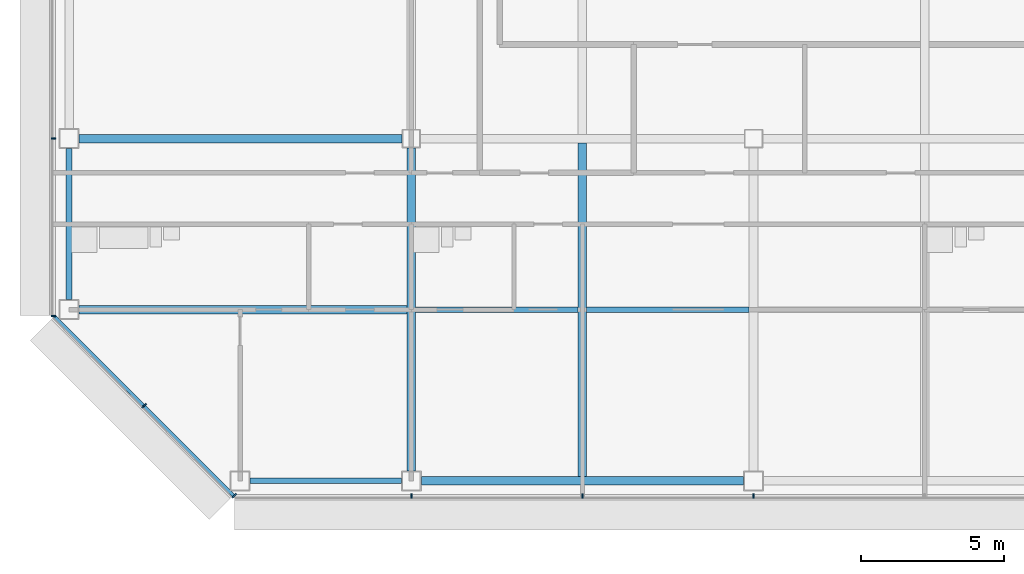
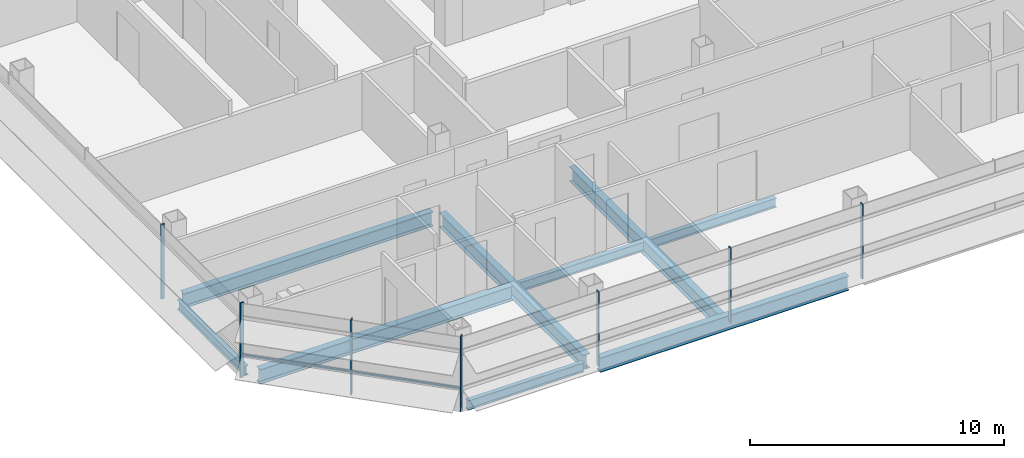
# One storey, part 2 of 27: 9 beams, 8 members, 3 elements without a shape of their own.
"""IFC4 building model written with IfcOpenShell, lengths in metres."""

from ifc_helpers import new_model, si_unit, direction, frame, origin, origin_2d, place, context, subcontext, project, spatial, rectangle, i_section, extrude, material, material_profile, profile_set, type_object, element, aggregate, save


model = new_model("IFC4")

# Units and contexts
model_context = context("Model", 3, precision=1e-05, world=origin(), true_north=direction((0.0, 1.0)))
body_context = subcontext(model_context, "Body", "Model", "MODEL_VIEW")
ifc_project = project(units=[si_unit("LENGTHUNIT", "METRE"), si_unit("AREAUNIT", "SQUARE_METRE"), si_unit("VOLUMEUNIT", "CUBIC_METRE"), si_unit("PLANEANGLEUNIT", "RADIAN"), si_unit("MASSUNIT", "GRAM", prefix="KILO")], contexts=[model_context])

# Site, building, storey
site_placement = place(None, origin())
site = spatial("IfcSite", under=ifc_project, at=site_placement, CompositionType="ELEMENT")
building_placement = place(site_placement, origin())
building = spatial("IfcBuilding", under=site, at=building_placement, Name="Sorahane Residences", CompositionType="ELEMENT")
storey_placement = place(building_placement, frame((0.0, 0.0, 195.60009765625)))
storey = spatial("IfcBuildingStorey", under=building, at=storey_placement, Name="L45", CompositionType="ELEMENT", Elevation=195.60009765625)

# Curtain wall, members
ifc_material_1 = material(Name="Dark low-e glass and black anodised aluminium", Category="aluminium")
curtain_wall_type_1 = type_object("IfcCurtainWallType", Name="Curtain wall CW-1 Typical unitised wall", PredefinedType="NOTDEFINED", material=ifc_material_1)
curtain_wall_1_placement = place(storey_placement, origin())
curtain_wall_1 = element("IfcCurtainWall", 1, at=curtain_wall_1_placement, inside=storey, type_object=curtain_wall_type_1, Name="CW-1 curtain wall L45 S1", PredefinedType="NOTDEFINED")
ifc_material_2 = material(Name="Black anodised aluminium", Category="aluminium")
ifc_material_profile_1 = material_profile(ifc_material_2, rectangle(XDim=0.159912109375, YDim=0.050048828125, at=origin_2d()), Name="Curtain wall mullion CW-1 black anodised aluminium 50x160")
ifc_profile_set_1 = profile_set([ifc_material_profile_1], Name="Black anodised aluminium")
member_type_1 = type_object("IfcMemberType", Name="Curtain wall mullion CW-1 black anodised aluminium 50x160", PredefinedType="MULLION", material=ifc_profile_set_1)
member_1_placement = place(storey_placement, frame((0.0, -0.5400390625, -0.18017578125), z_axis=(0.0, 0.0, 1.0), x_axis=(0.0, -1.0, 0.0)))
member_1 = element("IfcMember", 2, at=member_1_placement, type_object=member_type_1, Name="CW-1 mullion L45 S1.2", PredefinedType="MULLION", context=body_context, shape_type="SweptSolid", body=[
    extrude(rectangle(XDim=0.159912109375, YDim=0.050048828125, at=origin_2d()), origin(), (0.0, 0.0, 1.0), 3.60009765625),
])
member_2_placement = place(storey_placement, frame((6.0, -0.5400390625, -0.18017578125), z_axis=(0.0, 0.0, 1.0), x_axis=(0.0, -1.0, 0.0)))
member_2 = element("IfcMember", 3, at=member_2_placement, type_object=member_type_1, Name="CW-1 mullion L45 S1.3", PredefinedType="MULLION", context=body_context, shape_type="SweptSolid", body=[
    extrude(rectangle(XDim=0.159912109375, YDim=0.050048828125, at=origin_2d()), origin(), (0.0, 0.0, 1.0), 3.60009765625),
])
member_3_placement = place(storey_placement, frame((12.0, -0.5400390625, -0.18017578125), z_axis=(0.0, 0.0, 1.0), x_axis=(0.0, -1.0, 0.0)))
member_3 = element("IfcMember", 4, at=member_3_placement, type_object=member_type_1, Name="CW-1 mullion L45 S1.4", PredefinedType="MULLION", context=body_context, shape_type="SweptSolid", body=[
    extrude(rectangle(XDim=0.159912109375, YDim=0.050048828125, at=origin_2d()), origin(), (0.0, 0.0, 1.0), 3.60009765625),
])
aggregate(curtain_wall_1, [member_1, member_2, member_3])

curtain_wall_2_placement = place(storey_placement, origin())
curtain_wall_2 = element("IfcCurtainWall", 5, at=curtain_wall_2_placement, inside=storey, type_object=curtain_wall_type_1, Name="CW-1 curtain wall L45 W1", PredefinedType="NOTDEFINED")
member_4_placement = place(storey_placement, frame((-12.5400390625, 12.0, -0.18017578125), z_axis=(0.0, 0.0, 1.0), x_axis=(-1.0, 0.0, 0.0)))
member_4 = element("IfcMember", 6, at=member_4_placement, type_object=member_type_1, Name="CW-1 mullion L45 W1.6", PredefinedType="MULLION", context=body_context, shape_type="SweptSolid", body=[
    extrude(rectangle(XDim=0.159912109375, YDim=0.050048828125, at=origin_2d()), origin(), (0.0, 0.0, 1.0), 3.60009765625),
])
member_5_placement = place(storey_placement, frame((-12.5400390625, 5.7763671875, -0.18017578125), z_axis=(0.0, 0.0, 1.0), x_axis=(-1.0, 0.0, 0.0)))
member_5 = element("IfcMember", 7, at=member_5_placement, type_object=member_type_1, Name="CW-1 mullion L45 W1.7", PredefinedType="MULLION", context=body_context, shape_type="SweptSolid", body=[
    extrude(rectangle(XDim=0.159912109375, YDim=0.050048828125, at=origin_2d()), origin(), (0.0, 0.0, 1.0), 3.60009765625),
])
aggregate(curtain_wall_2, [member_4, member_5])

ifc_material_3 = material(Name="Dark low-e glass and black anodised aluminium", Category="aluminium")
curtain_wall_type_2 = type_object("IfcCurtainWallType", Name="Curtain wall CW-2 Chamfer unitised wall", PredefinedType="NOTDEFINED", material=ifc_material_3)
curtain_wall_3_placement = place(storey_placement, origin())
curtain_wall_3 = element("IfcCurtainWall", 8, at=curtain_wall_3_placement, inside=storey, type_object=curtain_wall_type_2, Name="CW-2 curtain wall L45 SW1", PredefinedType="NOTDEFINED")
ifc_material_4 = material(Name="Black anodised aluminium", Category="aluminium")
ifc_material_profile_2 = material_profile(ifc_material_4, rectangle(XDim=0.199951171875, YDim=0.050048828125, at=origin_2d()), Name="Curtain wall mullion CW-2 black anodised aluminium 50x200")
ifc_profile_set_2 = profile_set([ifc_material_profile_2], Name="Black anodised aluminium")
member_type_2 = type_object("IfcMemberType", Name="Curtain wall mullion CW-2 black anodised aluminium 50x200", PredefinedType="MULLION", material=ifc_profile_set_2)
member_6_placement = place(storey_placement, frame((-9.36767578125, 2.63232421875, -0.18017578125), z_axis=(0.0, 0.0, 1.0), x_axis=(-0.707106781187, -0.707106781187, 0.0)))
member_6 = element("IfcMember", 9, at=member_6_placement, type_object=member_type_2, Name="CW-2 mullion L45 SW1.2", PredefinedType="MULLION", context=body_context, shape_type="SweptSolid", body=[
    extrude(rectangle(XDim=0.199951171875, YDim=0.050048828125, at=origin_2d()), origin(), (0.0, 0.0, 1.0), 3.60009765625),
])
member_7_placement = place(storey_placement, frame((-6.209716796875, -0.525634765625, -0.18017578125), z_axis=(0.0, 0.0, 1.0), x_axis=(-0.707106781187, -0.707106781187, 0.0)))
member_7 = element("IfcMember", 10, at=member_7_placement, type_object=member_type_2, Name="CW-2 mullion L45 SW1.3", PredefinedType="MULLION", context=body_context, shape_type="SweptSolid", body=[
    extrude(rectangle(XDim=0.199951171875, YDim=0.050048828125, at=origin_2d()), origin(), (0.0, 0.0, 1.0), 3.60009765625),
])
ifc_material_5 = material(Name="Black anodised aluminium", Category="aluminium")
ifc_material_profile_3 = material_profile(ifc_material_5, rectangle(XDim=0.10009765625, YDim=0.06005859375, at=origin_2d()), Name="Curtain wall transom CW-2 black anodised aluminium 60x100")
ifc_profile_set_3 = profile_set([ifc_material_profile_3], Name="Black anodised aluminium")
member_type_3 = type_object("IfcMemberType", Name="Curtain wall transom CW-2 black anodised aluminium 60x100", PredefinedType="USERDEFINED", material=ifc_profile_set_3)
member_8_placement = place(storey_placement, frame((-12.51513671875, 5.765625, 0.89990234375), z_axis=(0.707106781187, -0.707106781187, 0.0), x_axis=(0.707106781187, 0.707106781187, 0.0)))
member_8 = element("IfcMember", 11, at=member_8_placement, type_object=member_type_3, Name="CW-2 transom L45 SW1", ObjectType="TRANSOM", PredefinedType="USERDEFINED", context=body_context, shape_type="SweptSolid", body=[
    extrude(rectangle(XDim=0.10009765625, YDim=0.06005859375, at=origin_2d()), origin(), (0.0, 0.0, 1.0), 8.88232421875),
])
aggregate(curtain_wall_3, [member_6, member_7, member_8])

# Beams
ifc_material_6 = material(Name="Steel Q355B", Category="steel")
ifc_material_profile_4 = material_profile(ifc_material_6, i_section(OverallWidth=0.199951171875, OverallDepth=0.449951171875, WebThickness=0.009033203125, FlangeThickness=0.013916015625, FilletRadius=0.02001953125, at=origin_2d()), Name="HN 450x200x9x14")
ifc_profile_set_4 = profile_set([ifc_material_profile_4], Name="Steel Q355B")
beam_type_1 = type_object("IfcBeamType", Name="Steel floor beam HN 450x200x9x14 Q355B", PredefinedType="BEAM", material=ifc_profile_set_4)
for number, where, z_axis, x_axis, name in (
    (12, (-5.64990234375, 0.0, -0.405029296875), (1.0, 0.0, 0.0), (0.0, 1.0, 0.0), "Beam L45 000"),
    (13, (-12.0, 6.35009765625, -0.405029296875), (0.0, 1.0, 0.0), (-1.0, 0.0, 0.0), "Beam L45 020"),
):
    element("IfcBeam", number, at=place(storey_placement, frame(where, z_axis=z_axis, x_axis=x_axis)), inside=storey, type_object=beam_type_1, Name=name, PredefinedType="BEAM", context=body_context, shape_type="SweptSolid", body=[
        extrude(i_section(OverallWidth=0.199951171875, OverallDepth=0.449951171875, WebThickness=0.009033203125, FlangeThickness=0.013916015625, FilletRadius=0.02001953125, at=origin_2d()), origin(), (0.0, 0.0, 1.0), 5.2998046875),
    ])
for number, where, z_axis, x_axis, name in (
    (14, (0.14990234375, 6.0, -0.405029296875), (1.0, 0.0, 0.0), (0.0, 1.0, 0.0), "Beam L45 069"),
    (15, (6.14990234375, 6.0, -0.405029296875), (1.0, 0.0, 0.0), (0.0, 1.0, 0.0), "Beam L45 070"),
):
    element("IfcBeam", number, at=place(storey_placement, frame(where, z_axis=z_axis, x_axis=x_axis)), inside=storey, type_object=beam_type_1, Name=name, PredefinedType="BEAM", context=body_context, shape_type="SweptSolid", body=[
        extrude(i_section(OverallWidth=0.199951171875, OverallDepth=0.449951171875, WebThickness=0.009033203125, FlangeThickness=0.013916015625, FilletRadius=0.02001953125, at=origin_2d()), origin(), (0.0, 0.0, 1.0), 5.7001953125),
    ])
ifc_material_7 = material(Name="Steel Q355B", Category="steel")
ifc_material_profile_5 = material_profile(ifc_material_7, i_section(OverallWidth=0.300048828125, OverallDepth=0.699951171875, WebThickness=0.012939453125, FlangeThickness=0.02392578125, FilletRadius=0.028076171875, at=origin_2d()), Name="HN 700x300x13x24")
ifc_profile_set_5 = profile_set([ifc_material_profile_5], Name="Steel Q355B")
beam_type_2 = type_object("IfcBeamType", Name="Steel floor beam HN 700x300x13x24 Q355B", PredefinedType="BEAM", material=ifc_profile_set_5)
beam_1_placement = place(storey_placement, frame((0.35009765625, 0.0, -0.530029296875), z_axis=(1.0, 0.0, 0.0), x_axis=(0.0, 1.0, 0.0)))
element("IfcBeam", 16, at=beam_1_placement, inside=storey, type_object=beam_type_2, Name="Beam L45 001", PredefinedType="BEAM", context=body_context, shape_type="SweptSolid", body=[
    extrude(i_section(OverallWidth=0.300048828125, OverallDepth=0.699951171875, WebThickness=0.012939453125, FlangeThickness=0.02392578125, FilletRadius=0.028076171875, at=origin_2d()), origin(), (0.0, 0.0, 1.0), 11.2998046875),
])
for number, where, z_axis, x_axis, name in (
    (17, (-11.64990234375, 12.0, -0.530029296875), (1.0, 0.0, 0.0), (0.0, 1.0, 0.0), "Beam L45 005"),
    (18, (0.0, 0.35009765625, -0.530029296875), (0.0, 1.0, 0.0), (-1.0, 0.0, 0.0), "Beam L45 024"),
):
    element("IfcBeam", number, at=place(storey_placement, frame(where, z_axis=z_axis, x_axis=x_axis)), inside=storey, type_object=beam_type_2, Name=name, PredefinedType="BEAM", context=body_context, shape_type="SweptSolid", body=[
        extrude(i_section(OverallWidth=0.300048828125, OverallDepth=0.699951171875, WebThickness=0.012939453125, FlangeThickness=0.02392578125, FilletRadius=0.028076171875, at=origin_2d()), origin(), (0.0, 0.0, 1.0), 11.324951171875),
    ])
beam_2_placement = place(storey_placement, frame((6.0, 0.14990234375, -0.530029296875), z_axis=(0.0, 1.0, 0.0), x_axis=(-1.0, 0.0, 0.0)))
element("IfcBeam", 19, at=beam_2_placement, inside=storey, type_object=beam_type_2, Name="Beam L45 028", PredefinedType="BEAM", context=body_context, shape_type="SweptSolid", body=[
    extrude(i_section(OverallWidth=0.300048828125, OverallDepth=0.699951171875, WebThickness=0.012939453125, FlangeThickness=0.02392578125, FilletRadius=0.028076171875, at=origin_2d()), origin(), (0.0, 0.0, 1.0), 11.7001953125),
])
beam_3_placement = place(storey_placement, frame((-11.64990234375, 6.0, -0.530029296875), z_axis=(1.0, 0.0, 0.0), x_axis=(0.0, 1.0, 0.0)))
element("IfcBeam", 20, at=beam_3_placement, inside=storey, type_object=beam_type_2, Name="Beam L45 068", PredefinedType="BEAM", context=body_context, shape_type="SweptSolid", body=[
    extrude(i_section(OverallWidth=0.300048828125, OverallDepth=0.699951171875, WebThickness=0.012939453125, FlangeThickness=0.02392578125, FilletRadius=0.028076171875, at=origin_2d()), origin(), (0.0, 0.0, 1.0), 11.5),
])

save(model, "model.ifc")
